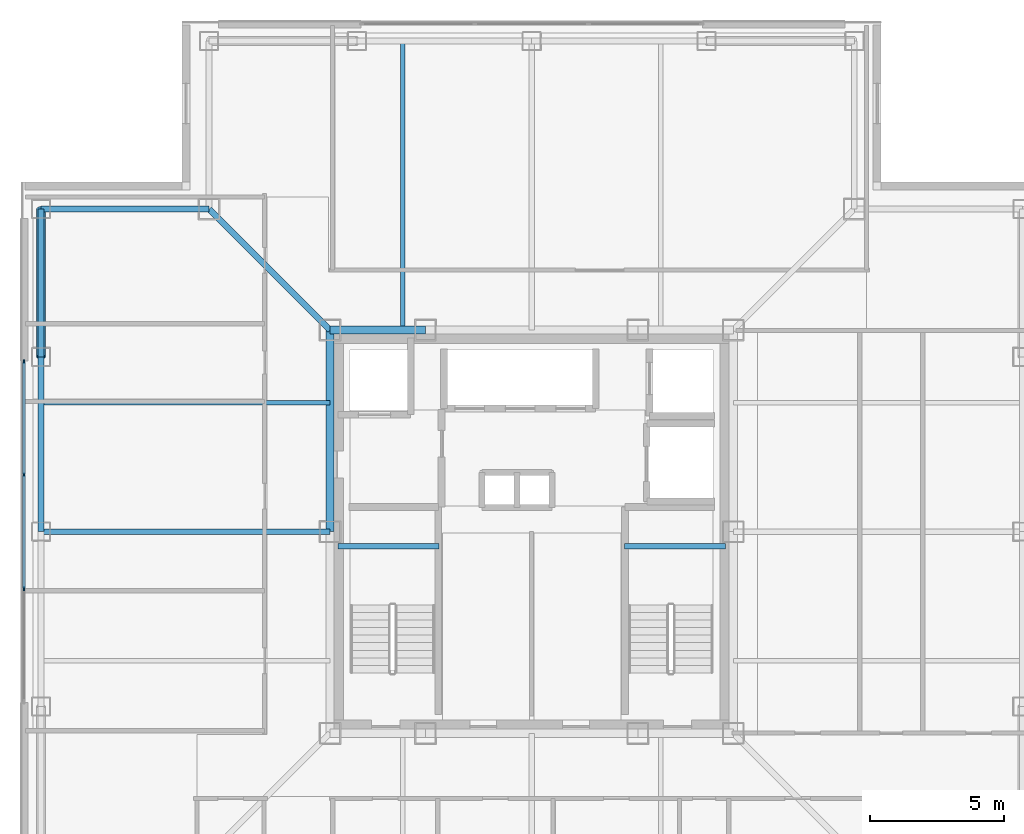
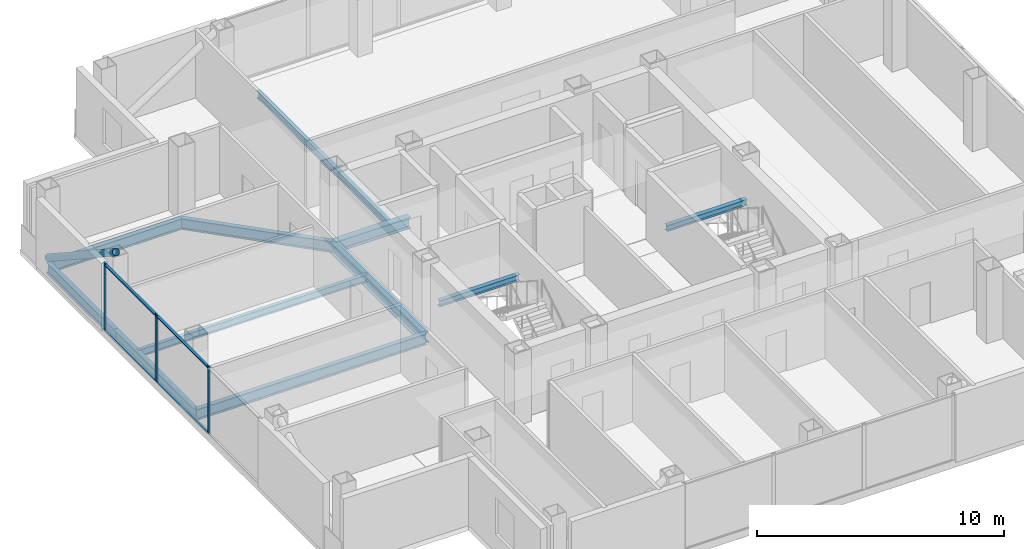
# One storey, part 4 of 16: 11 beams, 8 members, 1 element without a shape of its own.
"""IFC4 building model written with IfcOpenShell, lengths in metres."""

from ifc_helpers import new_model, si_unit, direction, frame, origin, origin_2d, place, context, subcontext, project, spatial, rectangle, hollow_circle, i_section, extrude, material, layer, layer_set, material_profile, profile_set, type_object, element, aggregate, save


model = new_model("IFC4")

# Units and contexts
model_context = context("Model", 3, precision=1e-05, world=origin(), true_north=direction((0.0, 1.0)))
body_context = subcontext(model_context, "Body", "Model", "MODEL_VIEW")
ifc_project = project(units=[si_unit("LENGTHUNIT", "METRE"), si_unit("AREAUNIT", "SQUARE_METRE"), si_unit("VOLUMEUNIT", "CUBIC_METRE"), si_unit("PLANEANGLEUNIT", "RADIAN"), si_unit("MASSUNIT", "GRAM", prefix="KILO")], contexts=[model_context])

# Site, building, storey
site_placement = place(None, origin())
site = spatial("IfcSite", under=ifc_project, at=site_placement, CompositionType="ELEMENT")
building_placement = place(site_placement, origin())
building = spatial("IfcBuilding", under=site, at=building_placement, Name="Trevonay Congress Spire", CompositionType="ELEMENT")
storey_placement = place(building_placement, frame((0.0, 0.0, 290.0)))
storey = spatial("IfcBuildingStorey", under=building, at=storey_placement, Name="L76", CompositionType="ELEMENT", Elevation=290.0)

# Beams
ifc_material_1 = material(Name="Steel ASTM A572 Grade 50", Category="steel")
ifc_material_profile_1 = material_profile(ifc_material_1, i_section(OverallWidth=0.2119140625, OverallDepth=0.5439453125, WebThickness=0.01318359375, FlangeThickness=0.021240234375, FilletRadius=0.014892578125, at=origin_2d()), Name="W530x123")
ifc_profile_set_1 = profile_set([ifc_material_profile_1], Name="Steel ASTM A572 Grade 50")
beam_type_1 = type_object("IfcBeamType", Name="BM-GIRD-W530X123", PredefinedType="BEAM", material=ifc_profile_set_1)
beam_1_placement = place(storey_placement, frame((-7.5, 7.5, -0.511962890625), z_axis=(-0.707106781187, 0.707106781187, 0.0), x_axis=(-0.707106781187, -0.707106781187, 0.0)))
element("IfcBeam", 1, at=beam_1_placement, inside=storey, type_object=beam_type_1, Name="L76 structural beam BM-L76-CDNW", PredefinedType="BEAM", context=body_context, shape_type="SweptSolid", body=[
    extrude(i_section(OverallWidth=0.2119140625, OverallDepth=0.5439453125, WebThickness=0.01318359375, FlangeThickness=0.021240234375, FilletRadius=0.014892578125, at=origin_2d()), origin(), (0.0, 0.0, 1.0), 6.364013671875),
])
beam_2_placement = place(storey_placement, frame((-7.5, 0.0, -0.511962890625), z_axis=(-1.0, 0.0, 0.0), x_axis=(0.0, -1.0, 0.0)))
element("IfcBeam", 2, at=beam_2_placement, inside=storey, type_object=beam_type_1, Name="L76 structural beam BM-L76-GC-W", PredefinedType="BEAM", context=body_context, shape_type="SweptSolid", body=[
    extrude(i_section(OverallWidth=0.2119140625, OverallDepth=0.5439453125, WebThickness=0.01318359375, FlangeThickness=0.021240234375, FilletRadius=0.014892578125, at=origin_2d()), origin(), (0.0, 0.0, 1.0), 10.75),
])
ifc_material_profile_2 = material_profile(ifc_material_1, i_section(OverallWidth=0.31201171875, OverallDepth=0.54296875, WebThickness=0.0126953125, FlangeThickness=0.020263671875, FilletRadius=0.014892578125, at=origin_2d()), Name="W530x150")
ifc_profile_set_2 = profile_set([ifc_material_profile_2], Name="Steel ASTM A572 Grade 50")
beam_type_2 = type_object("IfcBeamType", Name="BM-GIRD-W530X150", PredefinedType="BEAM", material=ifc_profile_set_2)
beam_3_placement = place(storey_placement, frame((-7.5, 7.5, -0.511474609375), z_axis=(1.0, 0.0, 0.0), x_axis=(0.0, 1.0, 0.0)))
element("IfcBeam", 3, at=beam_3_placement, inside=storey, type_object=beam_type_2, Name="L76 structural beam BM-L76-CR-N1", PredefinedType="BEAM", context=body_context, shape_type="SweptSolid", body=[
    extrude(i_section(OverallWidth=0.31201171875, OverallDepth=0.54296875, WebThickness=0.0126953125, FlangeThickness=0.020263671875, FilletRadius=0.014892578125, at=origin_2d()), origin(), (0.0, 0.0, 1.0), 3.550048828125),
])
beam_4_placement = place(storey_placement, frame((-7.5, 0.0, -0.511474609375), z_axis=(0.0, 1.0, 0.0), x_axis=(-1.0, 0.0, 0.0)))
element("IfcBeam", 4, at=beam_4_placement, inside=storey, type_object=beam_type_2, Name="L76 structural beam BM-L76-CR-W2", PredefinedType="BEAM", context=body_context, shape_type="SweptSolid", body=[
    extrude(i_section(OverallWidth=0.31201171875, OverallDepth=0.54296875, WebThickness=0.0126953125, FlangeThickness=0.020263671875, FilletRadius=0.014892578125, at=origin_2d()), origin(), (0.0, 0.0, 1.0), 7.5),
])
ifc_material_profile_3 = material_profile(ifc_material_1, i_section(OverallWidth=0.208984375, OverallDepth=0.532958984375, WebThickness=0.01025390625, FlangeThickness=0.015625, FilletRadius=0.014892578125, at=origin_2d()), Name="W530x92")
ifc_profile_set_3 = profile_set([ifc_material_profile_3], Name="Steel ASTM A572 Grade 50")
beam_type_3 = type_object("IfcBeamType", Name="BM-RING-W530X92", PredefinedType="BEAM", material=ifc_profile_set_3)
beam_5_placement = place(storey_placement, frame((-18.25, 0.0, -0.506591796875), z_axis=(0.0, 1.0, 0.0), x_axis=(-1.0, 0.0, 0.0)))
element("IfcBeam", 5, at=beam_5_placement, inside=storey, type_object=beam_type_3, Name="L76 structural beam BM-L76-PW3", PredefinedType="BEAM", context=body_context, shape_type="SweptSolid", body=[
    extrude(i_section(OverallWidth=0.208984375, OverallDepth=0.532958984375, WebThickness=0.01025390625, FlangeThickness=0.015625, FilletRadius=0.014892578125, at=origin_2d()), origin(), (0.0, 0.0, 1.0), 6.5),
])
beam_6_placement = place(storey_placement, frame((-18.25, 6.5, -0.506591796875), z_axis=(0.0, 1.0, 0.0), x_axis=(-1.0, 0.0, 0.0)))
element("IfcBeam", 6, at=beam_6_placement, inside=storey, type_object=beam_type_3, Name="L76 structural beam BM-L76-PW4", PredefinedType="BEAM", context=body_context, shape_type="SweptSolid", body=[
    extrude(i_section(OverallWidth=0.208984375, OverallDepth=0.532958984375, WebThickness=0.01025390625, FlangeThickness=0.015625, FilletRadius=0.014892578125, at=origin_2d()), origin(), (0.0, 0.0, 1.0), 5.5),
])
beam_7_placement = place(storey_placement, frame((-18.25, 12.0, -0.506591796875), z_axis=(1.0, 0.0, 0.0), x_axis=(0.0, 1.0, 0.0)))
element("IfcBeam", 7, at=beam_7_placement, inside=storey, type_object=beam_type_3, Name="L76 structural beam BM-L76-N2NW", PredefinedType="BEAM", context=body_context, shape_type="SweptSolid", body=[
    extrude(i_section(OverallWidth=0.208984375, OverallDepth=0.532958984375, WebThickness=0.01025390625, FlangeThickness=0.015625, FilletRadius=0.014892578125, at=origin_2d()), origin(), (0.0, 0.0, 1.0), 6.25),
])

# Curtain wall, members
ifc_material_2 = material(Name="Pale Anodised Aluminium EN AW-6063-T6", Category="aluminium")
ifc_layer = layer(ifc_material_2, 0.1650390625, Name="Pale Anodised Aluminium EN AW-6063-T6")
ifc_layer_set = layer_set([ifc_layer], Name="Pale Anodised Aluminium EN AW-6063-T6")
curtain_wall_type = type_object("IfcCurtainWallType", Name="CW-SYS05-DIPLOM-PALE-METAL", PredefinedType="NOTDEFINED", material=ifc_layer_set)
curtain_wall_placement = place(storey_placement, origin())
curtain_wall = element("IfcCurtainWall", 8, at=curtain_wall_placement, inside=storey, type_object=curtain_wall_type, Name="L76 W unitised curtain wall", PredefinedType="NOTDEFINED")
ifc_material_profile_4 = material_profile(ifc_material_2, rectangle(XDim=0.06005859375, YDim=0.159912109375, at=origin_2d()), Name="CW-MULLION-160-ALUMINIUM")
ifc_profile_set_4 = profile_set([ifc_material_profile_4], Name="Pale Anodised Aluminium EN AW-6063-T6")
member_type_1 = type_object("IfcMemberType", Name="CW-MULLION-160-ALUMINIUM", PredefinedType="MULLION", material=ifc_profile_set_4)
member_1_placement = place(storey_placement, frame((-18.8798828125, -2.11669921875, 0.0), z_axis=(0.0, 0.0, 1.0), x_axis=(-1.0, 0.0, 0.0)))
member_1 = element("IfcMember", 9, at=member_1_placement, type_object=member_type_1, Name="CW05 mullion 2", PredefinedType="MULLION", context=body_context, shape_type="SweptSolid", body=[
    extrude(rectangle(XDim=0.06005859375, YDim=0.159912109375, at=origin_2d()), origin(), (0.0, 0.0, 1.0), 3.360107421875),
])
member_2_placement = place(storey_placement, frame((-18.8798828125, 2.11669921875, 0.0), z_axis=(0.0, 0.0, 1.0), x_axis=(-1.0, 0.0, 0.0)))
member_2 = element("IfcMember", 10, at=member_2_placement, type_object=member_type_1, Name="CW05 mullion 3", PredefinedType="MULLION", context=body_context, shape_type="SweptSolid", body=[
    extrude(rectangle(XDim=0.06005859375, YDim=0.159912109375, at=origin_2d()), origin(), (0.0, 0.0, 1.0), 3.360107421875),
])
member_3_placement = place(storey_placement, frame((-18.8798828125, 6.320068359375, 0.0), z_axis=(0.0, 0.0, 1.0), x_axis=(-1.0, 0.0, 0.0)))
member_3 = element("IfcMember", 11, at=member_3_placement, type_object=member_type_1, Name="CW05 mullion 4", PredefinedType="MULLION", context=body_context, shape_type="SweptSolid", body=[
    extrude(rectangle(XDim=0.06005859375, YDim=0.159912109375, at=origin_2d()), origin(), (0.0, 0.0, 1.0), 3.360107421875),
])
ifc_material_profile_5 = material_profile(ifc_material_2, rectangle(XDim=0.1201171875, YDim=0.06005859375, at=origin_2d()), Name="CW-TRANSOM-120-ALUMINIUM")
ifc_profile_set_5 = profile_set([ifc_material_profile_5], Name="Pale Anodised Aluminium EN AW-6063-T6")
member_type_2 = type_object("IfcMemberType", Name="CW-TRANSOM-120-ALUMINIUM", PredefinedType="USERDEFINED", material=ifc_profile_set_5)
member_4_placement = place(storey_placement, frame((-18.8798828125, -2.086669921875, 0.06005859375), z_axis=(0.0, 1.0, 0.0), x_axis=(-1.0, 0.0, 0.0)))
member_4 = element("IfcMember", 12, at=member_4_placement, type_object=member_type_2, Name="CW05 transom 2.1", ObjectType="TRANSOM", PredefinedType="USERDEFINED", context=body_context, shape_type="SweptSolid", body=[
    extrude(rectangle(XDim=0.1201171875, YDim=0.06005859375, at=origin_2d()), origin(), (0.0, 0.0, 1.0), 4.17333984375),
])
member_5_placement = place(storey_placement, frame((-18.8798828125, -2.086669921875, 3.300048828125), z_axis=(0.0, 1.0, 0.0), x_axis=(-1.0, 0.0, 0.0)))
member_5 = element("IfcMember", 13, at=member_5_placement, type_object=member_type_2, Name="CW05 transom 2.2", ObjectType="TRANSOM", PredefinedType="USERDEFINED", context=body_context, shape_type="SweptSolid", body=[
    extrude(rectangle(XDim=0.1201171875, YDim=0.06005859375, at=origin_2d()), origin(), (0.0, 0.0, 1.0), 4.17333984375),
])
member_6_placement = place(storey_placement, frame((-18.8798828125, 2.146728515625, 0.06005859375), z_axis=(0.0, 1.0, 0.0), x_axis=(-1.0, 0.0, 0.0)))
member_6 = element("IfcMember", 14, at=member_6_placement, type_object=member_type_2, Name="CW05 transom 3.1", ObjectType="TRANSOM", PredefinedType="USERDEFINED", context=body_context, shape_type="SweptSolid", body=[
    extrude(rectangle(XDim=0.1201171875, YDim=0.06005859375, at=origin_2d()), origin(), (0.0, 0.0, 1.0), 4.143310546875),
])
member_7_placement = place(storey_placement, frame((-18.8798828125, 2.146728515625, 3.300048828125), z_axis=(0.0, 1.0, 0.0), x_axis=(-1.0, 0.0, 0.0)))
member_7 = element("IfcMember", 15, at=member_7_placement, type_object=member_type_2, Name="CW05 transom 3.2", ObjectType="TRANSOM", PredefinedType="USERDEFINED", context=body_context, shape_type="SweptSolid", body=[
    extrude(rectangle(XDim=0.1201171875, YDim=0.06005859375, at=origin_2d()), origin(), (0.0, 0.0, 1.0), 4.143310546875),
])
aggregate(curtain_wall, [member_1, member_2, member_3, member_4, member_5, member_6, member_7])

# Beams
ifc_material_profile_6 = material_profile(ifc_material_1, i_section(OverallWidth=0.172119140625, OverallDepth=0.35791015625, WebThickness=0.0078125, FlangeThickness=0.01318359375, FilletRadius=0.011962890625, at=origin_2d()), Name="W360x57.8")
ifc_profile_set_6 = profile_set([ifc_material_profile_6], Name="Steel ASTM A572 Grade 50")
beam_type_4 = type_object("IfcBeamType", Name="JS-COMP-W360X57", PredefinedType="JOIST", material=ifc_profile_set_6)
for number, where, z_axis, x_axis, name in (
    (16, (-4.800048828125, 7.5, -0.4189453125), (0.0, 1.0, 0.0), (-1.0, 0.0, 0.0), "L76 structural beam JS-L76-NS-N1"),
    (17, (-18.25, 4.800048828125, -0.4189453125), (1.0, 0.0, 0.0), (0.0, 1.0, 0.0), "L76 structural beam JS-L76-EW-W3"),
):
    element("IfcBeam", number, at=place(storey_placement, frame(where, z_axis=z_axis, x_axis=x_axis)), inside=storey, type_object=beam_type_4, Name=name, PredefinedType="JOIST", context=body_context, shape_type="SweptSolid", body=[
        extrude(i_section(OverallWidth=0.172119140625, OverallDepth=0.35791015625, WebThickness=0.0078125, FlangeThickness=0.01318359375, FilletRadius=0.011962890625, at=origin_2d()), origin(), (0.0, 0.0, 1.0), 10.75),
    ])
ifc_material_profile_7 = material_profile(ifc_material_1, i_section(OverallWidth=0.2041015625, OverallDepth=0.305908203125, WebThickness=0.008544921875, FlangeThickness=0.0146484375, FilletRadius=0.010986328125, at=origin_2d()), Name="W310x67")
ifc_profile_set_7 = profile_set([ifc_material_profile_7], Name="Steel ASTM A572 Grade 50")
beam_type_5 = type_object("IfcBeamType", Name="LN-CORE-W310X67", PredefinedType="LINTEL", material=ifc_profile_set_7)
for number, where, z_axis, x_axis, name in (
    (18, (-7.199951171875, -0.550048828125, 1.447021484375), (1.0, 0.0, 0.0), (0.0, 1.0, 0.0), "L76 structural beam BM-L76-HL-ST1"),
    (19, (3.449951171875, -0.550048828125, 1.447021484375), (1.0, 0.0, 0.0), (0.0, 1.0, 0.0), "L76 structural beam BM-L76-HL-ST2"),
):
    element("IfcBeam", number, at=place(storey_placement, frame(where, z_axis=z_axis, x_axis=x_axis)), inside=storey, type_object=beam_type_5, Name=name, PredefinedType="LINTEL", context=body_context, shape_type="SweptSolid", body=[
        extrude(i_section(OverallWidth=0.2041015625, OverallDepth=0.305908203125, WebThickness=0.008544921875, FlangeThickness=0.0146484375, FilletRadius=0.010986328125, at=origin_2d()), origin(), (0.0, 0.0, 1.0), 3.75),
    ])

# Member
ifc_material_3 = material(Name="Steel ASTM A500 Grade C", Category="steel")
ifc_material_profile_8 = material_profile(ifc_material_3, hollow_circle(Radius=0.161865234375, WallThickness=0.01611328125, at=origin_2d()), Name="CHS 323.9x16")
ifc_profile_set_8 = profile_set([ifc_material_profile_8], Name="Steel ASTM A500 Grade C")
member_type_3 = type_object("IfcMemberType", Name="MBR-TUBE-CHS324", PredefinedType="BRACE", material=ifc_profile_set_8)
member_8_placement = place(storey_placement, frame((-18.25, 12.0, -0.050048828125), z_axis=(0.0, -0.836694709366, 0.547669574943), x_axis=(1.0, 0.0, 0.0)))
element("IfcMember", 20, at=member_8_placement, inside=storey, type_object=member_type_3, Name="L76 perimeter braced-tube diagonal W3", PredefinedType="BRACE", context=body_context, shape_type="SweptSolid", body=[
    extrude(hollow_circle(Radius=0.161865234375, WallThickness=0.01611328125, at=origin_2d()), origin(), (0.0, 0.0, 1.0), 6.573486328125),
])

save(model, "model.ifc")
